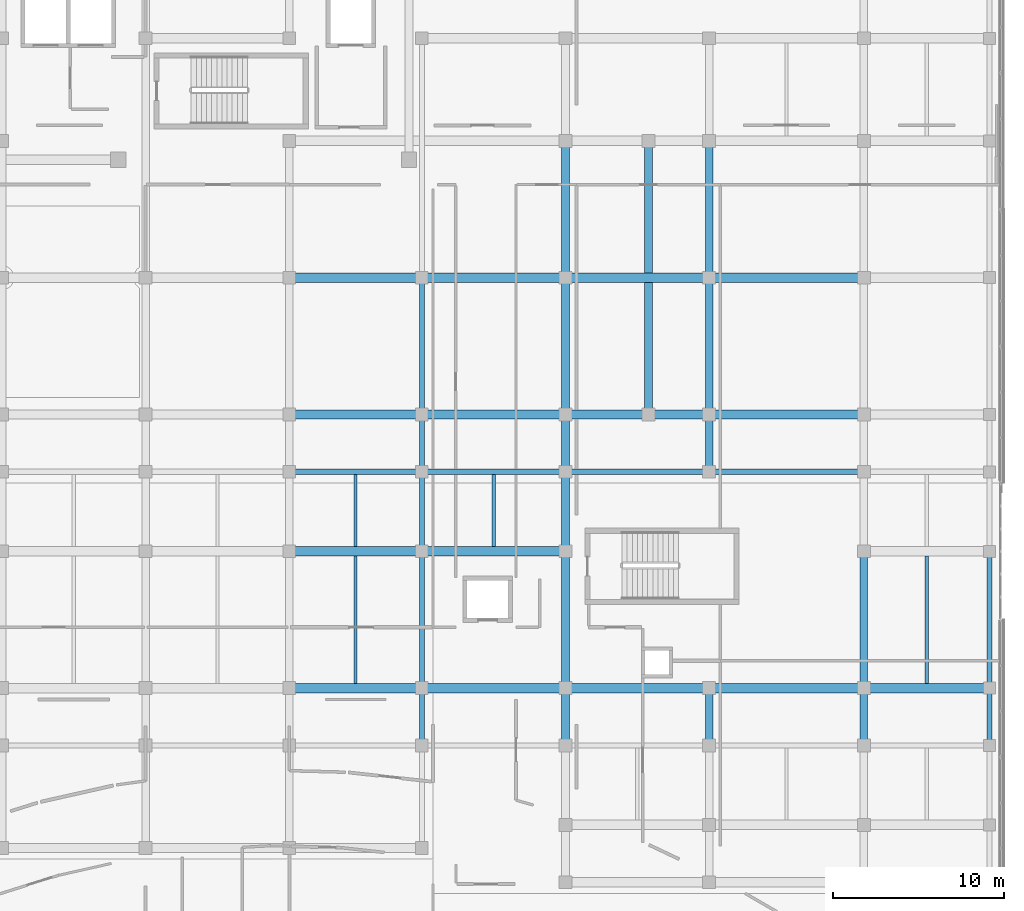
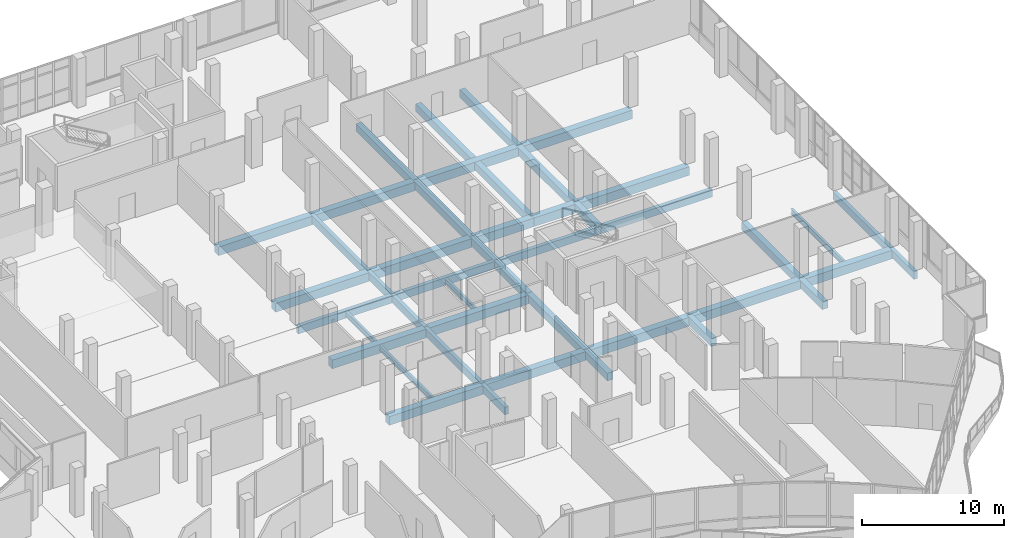
# One storey, part 130 of 184: 44 beams.
"""IFC4 building model written with IfcOpenShell, lengths in metres."""

from ifc_helpers import new_model, si_unit, direction, frame, origin, origin_2d, place, context, subcontext, project, spatial, rectangle, i_section, extrude, material, material_profile, profile_set, type_object, element, save


model = new_model("IFC4")

# Units and contexts
model_context = context("Model", 3, precision=1e-05, world=origin(), true_north=direction((0.0, 1.0)))
body_context = subcontext(model_context, "Body", "Model", "MODEL_VIEW")
ifc_project = project(units=[si_unit("LENGTHUNIT", "METRE"), si_unit("AREAUNIT", "SQUARE_METRE"), si_unit("VOLUMEUNIT", "CUBIC_METRE"), si_unit("PLANEANGLEUNIT", "RADIAN"), si_unit("MASSUNIT", "GRAM", prefix="KILO")], contexts=[model_context])

# Site, building, storey
site_placement = place(None, origin())
site = spatial("IfcSite", under=ifc_project, at=site_placement, CompositionType="ELEMENT")
building_placement = place(site_placement, origin())
building = spatial("IfcBuilding", under=site, at=building_placement, Name="Selatvlak General Hospital", CompositionType="ELEMENT")
storey_placement = place(building_placement, frame((0.0, 0.0, 15.0)))
storey = spatial("IfcBuildingStorey", under=building, at=storey_placement, Name="L03", CompositionType="ELEMENT", Elevation=15.0)

# Beams
ifc_material_1 = material(Name="Concrete C40/50", Category="concrete")
ifc_material_profile_1 = material_profile(ifc_material_1, rectangle(XDim=0.550048828125, YDim=0.75, at=origin_2d()), Name="RC-BM 550x750")
ifc_profile_set_1 = profile_set([ifc_material_profile_1], Name="Concrete C40/50")
beam_type_1 = type_object("IfcBeamType", Name="BM-G02", PredefinedType="BEAM", material=ifc_profile_set_1)
beam_1_placement = place(storey_placement, frame((140.39990234375, 76.0, -0.715087890625), z_axis=(1.0, 0.0, 0.0), x_axis=(0.0, 1.0, 0.0)))
element("IfcBeam", 1, at=beam_1_placement, inside=storey, type_object=beam_type_1, Name="Beam BMR-L03-1175", PredefinedType="BEAM", context=body_context, shape_type="SweptSolid", body=[
    extrude(rectangle(XDim=0.550048828125, YDim=0.75, at=origin_2d()), origin(), (0.0, 0.0, 1.0), 7.75),
])
beam_2_placement = place(storey_placement, frame((148.14990234375, 76.0, -0.715087890625), z_axis=(1.0, 0.0, 0.0), x_axis=(0.0, 1.0, 0.0)))
element("IfcBeam", 2, at=beam_2_placement, inside=storey, type_object=beam_type_1, Name="Beam BMR-L03-1176", PredefinedType="BEAM", context=body_context, shape_type="SweptSolid", body=[
    extrude(rectangle(XDim=0.550048828125, YDim=0.75, at=origin_2d()), origin(), (0.0, 0.0, 1.0), 8.400146484375),
])
beam_3_placement = place(storey_placement, frame((156.550048828125, 76.0, -0.715087890625), z_axis=(1.0, 0.0, 0.0), x_axis=(0.0, 1.0, 0.0)))
element("IfcBeam", 3, at=beam_3_placement, inside=storey, type_object=beam_type_1, Name="Beam BMR-L03-1177", PredefinedType="BEAM", context=body_context, shape_type="SweptSolid", body=[
    extrude(rectangle(XDim=0.550048828125, YDim=0.75, at=origin_2d()), origin(), (0.0, 0.0, 1.0), 8.39990234375),
])
beam_4_placement = place(storey_placement, frame((164.949951171875, 76.0, -0.715087890625), z_axis=(1.0, 0.0, 0.0), x_axis=(0.0, 1.0, 0.0)))
element("IfcBeam", 4, at=beam_4_placement, inside=storey, type_object=beam_type_1, Name="Beam BMR-L03-1178", PredefinedType="BEAM", context=body_context, shape_type="SweptSolid", body=[
    extrude(rectangle(XDim=0.550048828125, YDim=0.75, at=origin_2d()), origin(), (0.0, 0.0, 1.0), 9.050048828125),
])
beam_5_placement = place(storey_placement, frame((174.0, 76.0, -0.715087890625), z_axis=(1.0, 0.0, 0.0), x_axis=(0.0, 1.0, 0.0)))
element("IfcBeam", 5, at=beam_5_placement, inside=storey, type_object=beam_type_1, Name="Beam BMR-L03-1179", PredefinedType="BEAM", context=body_context, shape_type="SweptSolid", body=[
    extrude(rectangle(XDim=0.550048828125, YDim=0.75, at=origin_2d()), origin(), (0.0, 0.0, 1.0), 7.35009765625),
])
beam_6_placement = place(storey_placement, frame((140.39990234375, 84.0, -0.715087890625), z_axis=(1.0, 0.0, 0.0), x_axis=(0.0, 1.0, 0.0)))
element("IfcBeam", 6, at=beam_6_placement, inside=storey, type_object=beam_type_1, Name="Beam BMR-L03-1182", PredefinedType="BEAM", context=body_context, shape_type="SweptSolid", body=[
    extrude(rectangle(XDim=0.550048828125, YDim=0.75, at=origin_2d()), origin(), (0.0, 0.0, 1.0), 7.75),
])
beam_7_placement = place(storey_placement, frame((148.14990234375, 84.0, -0.715087890625), z_axis=(1.0, 0.0, 0.0), x_axis=(0.0, 1.0, 0.0)))
element("IfcBeam", 7, at=beam_7_placement, inside=storey, type_object=beam_type_1, Name="Beam BMR-L03-1183", PredefinedType="BEAM", context=body_context, shape_type="SweptSolid", body=[
    extrude(rectangle(XDim=0.550048828125, YDim=0.75, at=origin_2d()), origin(), (0.0, 0.0, 1.0), 8.400146484375),
])
beam_8_placement = place(storey_placement, frame((140.39990234375, 92.0, -0.715087890625), z_axis=(1.0, 0.0, 0.0), x_axis=(0.0, 1.0, 0.0)))
element("IfcBeam", 8, at=beam_8_placement, inside=storey, type_object=beam_type_1, Name="Beam BMR-L03-1217", PredefinedType="BEAM", context=body_context, shape_type="SweptSolid", body=[
    extrude(rectangle(XDim=0.550048828125, YDim=0.75, at=origin_2d()), origin(), (0.0, 0.0, 1.0), 7.75),
])
beam_9_placement = place(storey_placement, frame((148.14990234375, 92.0, -0.715087890625), z_axis=(1.0, 0.0, 0.0), x_axis=(0.0, 1.0, 0.0)))
element("IfcBeam", 9, at=beam_9_placement, inside=storey, type_object=beam_type_1, Name="Beam BMR-L03-1218", PredefinedType="BEAM", context=body_context, shape_type="SweptSolid", body=[
    extrude(rectangle(XDim=0.550048828125, YDim=0.75, at=origin_2d()), origin(), (0.0, 0.0, 1.0), 8.400146484375),
])
beam_10_placement = place(storey_placement, frame((156.550048828125, 92.0, -0.715087890625), z_axis=(1.0, 0.0, 0.0), x_axis=(0.0, 1.0, 0.0)))
element("IfcBeam", 10, at=beam_10_placement, inside=storey, type_object=beam_type_1, Name="Beam BMR-L03-1219", PredefinedType="BEAM", context=body_context, shape_type="SweptSolid", body=[
    extrude(rectangle(XDim=0.550048828125, YDim=0.75, at=origin_2d()), origin(), (0.0, 0.0, 1.0), 4.849853515625),
])
beam_11_placement = place(storey_placement, frame((161.39990234375, 92.0, -0.715087890625), z_axis=(1.0, 0.0, 0.0), x_axis=(0.0, 1.0, 0.0)))
element("IfcBeam", 11, at=beam_11_placement, inside=storey, type_object=beam_type_1, Name="Beam BMR-L03-1220", PredefinedType="BEAM", context=body_context, shape_type="SweptSolid", body=[
    extrude(rectangle(XDim=0.550048828125, YDim=0.75, at=origin_2d()), origin(), (0.0, 0.0, 1.0), 3.550048828125),
])
beam_12_placement = place(storey_placement, frame((164.949951171875, 92.0, -0.715087890625), z_axis=(1.0, 0.0, 0.0), x_axis=(0.0, 1.0, 0.0)))
element("IfcBeam", 12, at=beam_12_placement, inside=storey, type_object=beam_type_1, Name="Beam BMR-L03-1221", PredefinedType="BEAM", context=body_context, shape_type="SweptSolid", body=[
    extrude(rectangle(XDim=0.550048828125, YDim=0.75, at=origin_2d()), origin(), (0.0, 0.0, 1.0), 9.050048828125),
])
beam_13_placement = place(storey_placement, frame((140.39990234375, 100.0, -0.715087890625), z_axis=(1.0, 0.0, 0.0), x_axis=(0.0, 1.0, 0.0)))
element("IfcBeam", 13, at=beam_13_placement, inside=storey, type_object=beam_type_1, Name="Beam BMR-L03-1238", PredefinedType="BEAM", context=body_context, shape_type="SweptSolid", body=[
    extrude(rectangle(XDim=0.550048828125, YDim=0.75, at=origin_2d()), origin(), (0.0, 0.0, 1.0), 7.75),
])
beam_14_placement = place(storey_placement, frame((148.14990234375, 100.0, -0.715087890625), z_axis=(1.0, 0.0, 0.0), x_axis=(0.0, 1.0, 0.0)))
element("IfcBeam", 14, at=beam_14_placement, inside=storey, type_object=beam_type_1, Name="Beam BMR-L03-1239", PredefinedType="BEAM", context=body_context, shape_type="SweptSolid", body=[
    extrude(rectangle(XDim=0.550048828125, YDim=0.75, at=origin_2d()), origin(), (0.0, 0.0, 1.0), 8.400146484375),
])
beam_15_placement = place(storey_placement, frame((156.550048828125, 100.0, -0.715087890625), z_axis=(1.0, 0.0, 0.0), x_axis=(0.0, 1.0, 0.0)))
element("IfcBeam", 15, at=beam_15_placement, inside=storey, type_object=beam_type_1, Name="Beam BMR-L03-1240", PredefinedType="BEAM", context=body_context, shape_type="SweptSolid", body=[
    extrude(rectangle(XDim=0.550048828125, YDim=0.75, at=origin_2d()), origin(), (0.0, 0.0, 1.0), 8.39990234375),
])
beam_16_placement = place(storey_placement, frame((164.949951171875, 100.0, -0.715087890625), z_axis=(1.0, 0.0, 0.0), x_axis=(0.0, 1.0, 0.0)))
element("IfcBeam", 16, at=beam_16_placement, inside=storey, type_object=beam_type_1, Name="Beam BMR-L03-1241", PredefinedType="BEAM", context=body_context, shape_type="SweptSolid", body=[
    extrude(rectangle(XDim=0.550048828125, YDim=0.75, at=origin_2d()), origin(), (0.0, 0.0, 1.0), 9.050048828125),
])
ifc_material_profile_2 = material_profile(ifc_material_1, rectangle(XDim=0.449951171875, YDim=0.64990234375, at=origin_2d()), Name="RC-BM 450x650")
ifc_profile_set_2 = profile_set([ifc_material_profile_2], Name="Concrete C40/50")
beam_type_2 = type_object("IfcBeamType", Name="BM-G04", PredefinedType="BEAM", material=ifc_profile_set_2)
beam_17_placement = place(storey_placement, frame((156.550048828125, 72.64990234375, -0.6650390625), z_axis=(0.0, 1.0, 0.0), x_axis=(-1.0, 0.0, 0.0)))
element("IfcBeam", 17, at=beam_17_placement, inside=storey, type_object=beam_type_2, Name="Beam BMR-L03-1394", PredefinedType="BEAM", context=body_context, shape_type="SweptSolid", body=[
    extrude(rectangle(XDim=0.449951171875, YDim=0.64990234375, at=origin_2d()), origin(), (0.0, 0.0, 1.0), 3.35009765625),
])
beam_18_placement = place(storey_placement, frame((156.550048828125, 76.0, -0.6650390625), z_axis=(0.0, 1.0, 0.0), x_axis=(-1.0, 0.0, 0.0)))
element("IfcBeam", 18, at=beam_18_placement, inside=storey, type_object=beam_type_2, Name="Beam BMR-L03-1395", PredefinedType="BEAM", context=body_context, shape_type="SweptSolid", body=[
    extrude(rectangle(XDim=0.449951171875, YDim=0.64990234375, at=origin_2d()), origin(), (0.0, 0.0, 1.0), 8.0),
])
beam_19_placement = place(storey_placement, frame((156.550048828125, 84.0, -0.6650390625), z_axis=(0.0, 1.0, 0.0), x_axis=(-1.0, 0.0, 0.0)))
element("IfcBeam", 19, at=beam_19_placement, inside=storey, type_object=beam_type_2, Name="Beam BMR-L03-1396", PredefinedType="BEAM", context=body_context, shape_type="SweptSolid", body=[
    extrude(rectangle(XDim=0.449951171875, YDim=0.64990234375, at=origin_2d()), origin(), (0.0, 0.0, 1.0), 4.64990234375),
])
beam_20_placement = place(storey_placement, frame((156.550048828125, 88.64990234375, -0.6650390625), z_axis=(0.0, 1.0, 0.0), x_axis=(-1.0, 0.0, 0.0)))
element("IfcBeam", 20, at=beam_20_placement, inside=storey, type_object=beam_type_2, Name="Beam BMR-L03-1397", PredefinedType="BEAM", context=body_context, shape_type="SweptSolid", body=[
    extrude(rectangle(XDim=0.449951171875, YDim=0.64990234375, at=origin_2d()), origin(), (0.0, 0.0, 1.0), 3.35009765625),
])
for number, where, z_axis, x_axis, name in (
    (21, (156.550048828125, 92.0, -0.6650390625), (0.0, 1.0, 0.0), (-1.0, 0.0, 0.0), "Beam BMR-L03-1398"),
    (22, (156.550048828125, 100.0, -0.6650390625), (0.0, 1.0, 0.0), (-1.0, 0.0, 0.0), "Beam BMR-L03-1399"),
):
    element("IfcBeam", number, at=place(storey_placement, frame(where, z_axis=z_axis, x_axis=x_axis)), inside=storey, type_object=beam_type_2, Name=name, PredefinedType="BEAM", context=body_context, shape_type="SweptSolid", body=[
        extrude(rectangle(XDim=0.449951171875, YDim=0.64990234375, at=origin_2d()), origin(), (0.0, 0.0, 1.0), 8.0),
    ])
beam_21_placement = place(storey_placement, frame((161.39990234375, 92.0, -0.6650390625), z_axis=(0.0, 1.0, 0.0), x_axis=(-1.0, 0.0, 0.0)))
element("IfcBeam", 23, at=beam_21_placement, inside=storey, type_object=beam_type_2, Name="Beam BMR-L03-1401", PredefinedType="BEAM", context=body_context, shape_type="SweptSolid", body=[
    extrude(rectangle(XDim=0.449951171875, YDim=0.64990234375, at=origin_2d()), origin(), (0.0, 0.0, 1.0), 16.0),
])
for number, where, z_axis, x_axis, name in (
    (24, (164.949951171875, 72.64990234375, -0.6650390625), (0.0, 1.0, 0.0), (-1.0, 0.0, 0.0), "Beam BMR-L03-1404"),
    (25, (164.949951171875, 88.64990234375, -0.6650390625), (0.0, 1.0, 0.0), (-1.0, 0.0, 0.0), "Beam BMR-L03-1405"),
):
    element("IfcBeam", number, at=place(storey_placement, frame(where, z_axis=z_axis, x_axis=x_axis)), inside=storey, type_object=beam_type_2, Name=name, PredefinedType="BEAM", context=body_context, shape_type="SweptSolid", body=[
        extrude(rectangle(XDim=0.449951171875, YDim=0.64990234375, at=origin_2d()), origin(), (0.0, 0.0, 1.0), 3.35009765625),
    ])
for number, where, z_axis, x_axis, name in (
    (26, (164.949951171875, 92.0, -0.6650390625), (0.0, 1.0, 0.0), (-1.0, 0.0, 0.0), "Beam BMR-L03-1406"),
    (27, (164.949951171875, 100.0, -0.6650390625), (0.0, 1.0, 0.0), (-1.0, 0.0, 0.0), "Beam BMR-L03-1407"),
):
    element("IfcBeam", number, at=place(storey_placement, frame(where, z_axis=z_axis, x_axis=x_axis)), inside=storey, type_object=beam_type_2, Name=name, PredefinedType="BEAM", context=body_context, shape_type="SweptSolid", body=[
        extrude(rectangle(XDim=0.449951171875, YDim=0.64990234375, at=origin_2d()), origin(), (0.0, 0.0, 1.0), 8.0),
    ])
beam_22_placement = place(storey_placement, frame((174.0, 72.64990234375, -0.6650390625), z_axis=(0.0, 1.0, 0.0), x_axis=(-1.0, 0.0, 0.0)))
element("IfcBeam", 28, at=beam_22_placement, inside=storey, type_object=beam_type_2, Name="Beam BMR-L03-1411", PredefinedType="BEAM", context=body_context, shape_type="SweptSolid", body=[
    extrude(rectangle(XDim=0.449951171875, YDim=0.64990234375, at=origin_2d()), origin(), (0.0, 0.0, 1.0), 3.35009765625),
])
beam_23_placement = place(storey_placement, frame((174.0, 76.0, -0.6650390625), z_axis=(0.0, 1.0, 0.0), x_axis=(-1.0, 0.0, 0.0)))
element("IfcBeam", 29, at=beam_23_placement, inside=storey, type_object=beam_type_2, Name="Beam BMR-L03-1412", PredefinedType="BEAM", context=body_context, shape_type="SweptSolid", body=[
    extrude(rectangle(XDim=0.449951171875, YDim=0.64990234375, at=origin_2d()), origin(), (0.0, 0.0, 1.0), 8.0),
])
ifc_material_2 = material(Name="Steel S355", Category="steel")
ifc_material_profile_3 = material_profile(ifc_material_2, i_section(OverallWidth=0.1904296875, OverallDepth=0.45703125, WebThickness=0.009033203125, FlangeThickness=0.014404296875, at=origin_2d()), Name="UB 457x191x74")
ifc_profile_set_3 = profile_set([ifc_material_profile_3], Name="Steel S355")
beam_type_3 = type_object("IfcBeamType", Name="BM-J03", PredefinedType="JOIST", material=ifc_profile_set_3)
for number, where, z_axis, x_axis, name in (
    (30, (144.27490234375, 76.27490234375, -0.569091796875), (0.0, 1.0, 0.0), (-1.0, 0.0, 0.0), "Beam BMR-L03-1434"),
    (31, (177.675048828125, 76.27490234375, -0.569091796875), (0.0, 1.0, 0.0), (-1.0, 0.0, 0.0), "Beam BMR-L03-1435"),
):
    element("IfcBeam", number, at=place(storey_placement, frame(where, z_axis=z_axis, x_axis=x_axis)), inside=storey, type_object=beam_type_3, Name=name, PredefinedType="JOIST", context=body_context, shape_type="SweptSolid", body=[
        extrude(i_section(OverallWidth=0.1904296875, OverallDepth=0.45703125, WebThickness=0.009033203125, FlangeThickness=0.014404296875, at=origin_2d()), origin(), (0.0, 0.0, 1.0), 7.4501953125),
    ])
for number, where, z_axis, x_axis, name in (
    (32, (144.27490234375, 84.27490234375, -0.569091796875), (0.0, 1.0, 0.0), (-1.0, 0.0, 0.0), "Beam BMR-L03-1438"),
    (33, (152.35009765625, 84.27490234375, -0.569091796875), (0.0, 1.0, 0.0), (-1.0, 0.0, 0.0), "Beam BMR-L03-1439"),
):
    element("IfcBeam", number, at=place(storey_placement, frame(where, z_axis=z_axis, x_axis=x_axis)), inside=storey, type_object=beam_type_3, Name=name, PredefinedType="JOIST", context=body_context, shape_type="SweptSolid", body=[
        extrude(i_section(OverallWidth=0.1904296875, OverallDepth=0.45703125, WebThickness=0.009033203125, FlangeThickness=0.014404296875, at=origin_2d()), origin(), (0.0, 0.0, 1.0), 4.22509765625),
    ])
ifc_material_profile_4 = material_profile(ifc_material_1, rectangle(XDim=0.300048828125, YDim=0.64990234375, at=origin_2d()), Name="RC-SP 300x650")
ifc_profile_set_4 = profile_set([ifc_material_profile_4], Name="Concrete C40/50")
beam_type_4 = type_object("IfcBeamType", Name="BM-SP1", PredefinedType="SPANDREL", material=ifc_profile_set_4)
beam_24_placement = place(storey_placement, frame((140.39990234375, 88.64990234375, -0.6650390625), z_axis=(1.0, 0.0, 0.0), x_axis=(0.0, 1.0, 0.0)))
element("IfcBeam", 34, at=beam_24_placement, inside=storey, type_object=beam_type_4, Name="Beam BMR-L03-1197", PredefinedType="SPANDREL", context=body_context, shape_type="SweptSolid", body=[
    extrude(rectangle(XDim=0.300048828125, YDim=0.64990234375, at=origin_2d()), origin(), (0.0, 0.0, 1.0), 7.75),
])
beam_25_placement = place(storey_placement, frame((148.14990234375, 88.64990234375, -0.6650390625), z_axis=(1.0, 0.0, 0.0), x_axis=(0.0, 1.0, 0.0)))
element("IfcBeam", 35, at=beam_25_placement, inside=storey, type_object=beam_type_4, Name="Beam BMR-L03-1198", PredefinedType="SPANDREL", context=body_context, shape_type="SweptSolid", body=[
    extrude(rectangle(XDim=0.300048828125, YDim=0.64990234375, at=origin_2d()), origin(), (0.0, 0.0, 1.0), 8.400146484375),
])
beam_26_placement = place(storey_placement, frame((156.550048828125, 88.64990234375, -0.6650390625), z_axis=(1.0, 0.0, 0.0), x_axis=(0.0, 1.0, 0.0)))
element("IfcBeam", 36, at=beam_26_placement, inside=storey, type_object=beam_type_4, Name="Beam BMR-L03-1199", PredefinedType="SPANDREL", context=body_context, shape_type="SweptSolid", body=[
    extrude(rectangle(XDim=0.300048828125, YDim=0.64990234375, at=origin_2d()), origin(), (0.0, 0.0, 1.0), 8.39990234375),
])
beam_27_placement = place(storey_placement, frame((164.949951171875, 88.64990234375, -0.6650390625), z_axis=(1.0, 0.0, 0.0), x_axis=(0.0, 1.0, 0.0)))
element("IfcBeam", 37, at=beam_27_placement, inside=storey, type_object=beam_type_4, Name="Beam BMR-L03-1200", PredefinedType="SPANDREL", context=body_context, shape_type="SweptSolid", body=[
    extrude(rectangle(XDim=0.300048828125, YDim=0.64990234375, at=origin_2d()), origin(), (0.0, 0.0, 1.0), 9.050048828125),
])
beam_28_placement = place(storey_placement, frame((148.14990234375, 72.64990234375, -0.6650390625), z_axis=(0.0, 1.0, 0.0), x_axis=(-1.0, 0.0, 0.0)))
element("IfcBeam", 38, at=beam_28_placement, inside=storey, type_object=beam_type_4, Name="Beam BMR-L03-1386", PredefinedType="SPANDREL", context=body_context, shape_type="SweptSolid", body=[
    extrude(rectangle(XDim=0.300048828125, YDim=0.64990234375, at=origin_2d()), origin(), (0.0, 0.0, 1.0), 3.35009765625),
])
beam_29_placement = place(storey_placement, frame((148.14990234375, 76.0, -0.6650390625), z_axis=(0.0, 1.0, 0.0), x_axis=(-1.0, 0.0, 0.0)))
element("IfcBeam", 39, at=beam_29_placement, inside=storey, type_object=beam_type_4, Name="Beam BMR-L03-1387", PredefinedType="SPANDREL", context=body_context, shape_type="SweptSolid", body=[
    extrude(rectangle(XDim=0.300048828125, YDim=0.64990234375, at=origin_2d()), origin(), (0.0, 0.0, 1.0), 8.0),
])
beam_30_placement = place(storey_placement, frame((148.14990234375, 84.0, -0.6650390625), z_axis=(0.0, 1.0, 0.0), x_axis=(-1.0, 0.0, 0.0)))
element("IfcBeam", 40, at=beam_30_placement, inside=storey, type_object=beam_type_4, Name="Beam BMR-L03-1388", PredefinedType="SPANDREL", context=body_context, shape_type="SweptSolid", body=[
    extrude(rectangle(XDim=0.300048828125, YDim=0.64990234375, at=origin_2d()), origin(), (0.0, 0.0, 1.0), 4.64990234375),
])
beam_31_placement = place(storey_placement, frame((148.14990234375, 88.64990234375, -0.6650390625), z_axis=(0.0, 1.0, 0.0), x_axis=(-1.0, 0.0, 0.0)))
element("IfcBeam", 41, at=beam_31_placement, inside=storey, type_object=beam_type_4, Name="Beam BMR-L03-1389", PredefinedType="SPANDREL", context=body_context, shape_type="SweptSolid", body=[
    extrude(rectangle(XDim=0.300048828125, YDim=0.64990234375, at=origin_2d()), origin(), (0.0, 0.0, 1.0), 3.35009765625),
])
beam_32_placement = place(storey_placement, frame((148.14990234375, 92.0, -0.6650390625), z_axis=(0.0, 1.0, 0.0), x_axis=(-1.0, 0.0, 0.0)))
element("IfcBeam", 42, at=beam_32_placement, inside=storey, type_object=beam_type_4, Name="Beam BMR-L03-1390", PredefinedType="SPANDREL", context=body_context, shape_type="SweptSolid", body=[
    extrude(rectangle(XDim=0.300048828125, YDim=0.64990234375, at=origin_2d()), origin(), (0.0, 0.0, 1.0), 8.0),
])
beam_33_placement = place(storey_placement, frame((181.35009765625, 72.64990234375, -0.6650390625), z_axis=(0.0, 1.0, 0.0), x_axis=(-1.0, 0.0, 0.0)))
element("IfcBeam", 43, at=beam_33_placement, inside=storey, type_object=beam_type_4, Name="Beam BMR-L03-1421", PredefinedType="SPANDREL", context=body_context, shape_type="SweptSolid", body=[
    extrude(rectangle(XDim=0.300048828125, YDim=0.64990234375, at=origin_2d()), origin(), (0.0, 0.0, 1.0), 3.35009765625),
])
beam_34_placement = place(storey_placement, frame((181.35009765625, 76.0, -0.6650390625), z_axis=(0.0, 1.0, 0.0), x_axis=(-1.0, 0.0, 0.0)))
element("IfcBeam", 44, at=beam_34_placement, inside=storey, type_object=beam_type_4, Name="Beam BMR-L03-1422", PredefinedType="SPANDREL", context=body_context, shape_type="SweptSolid", body=[
    extrude(rectangle(XDim=0.300048828125, YDim=0.64990234375, at=origin_2d()), origin(), (0.0, 0.0, 1.0), 8.0),
])

save(model, "model.ifc")
